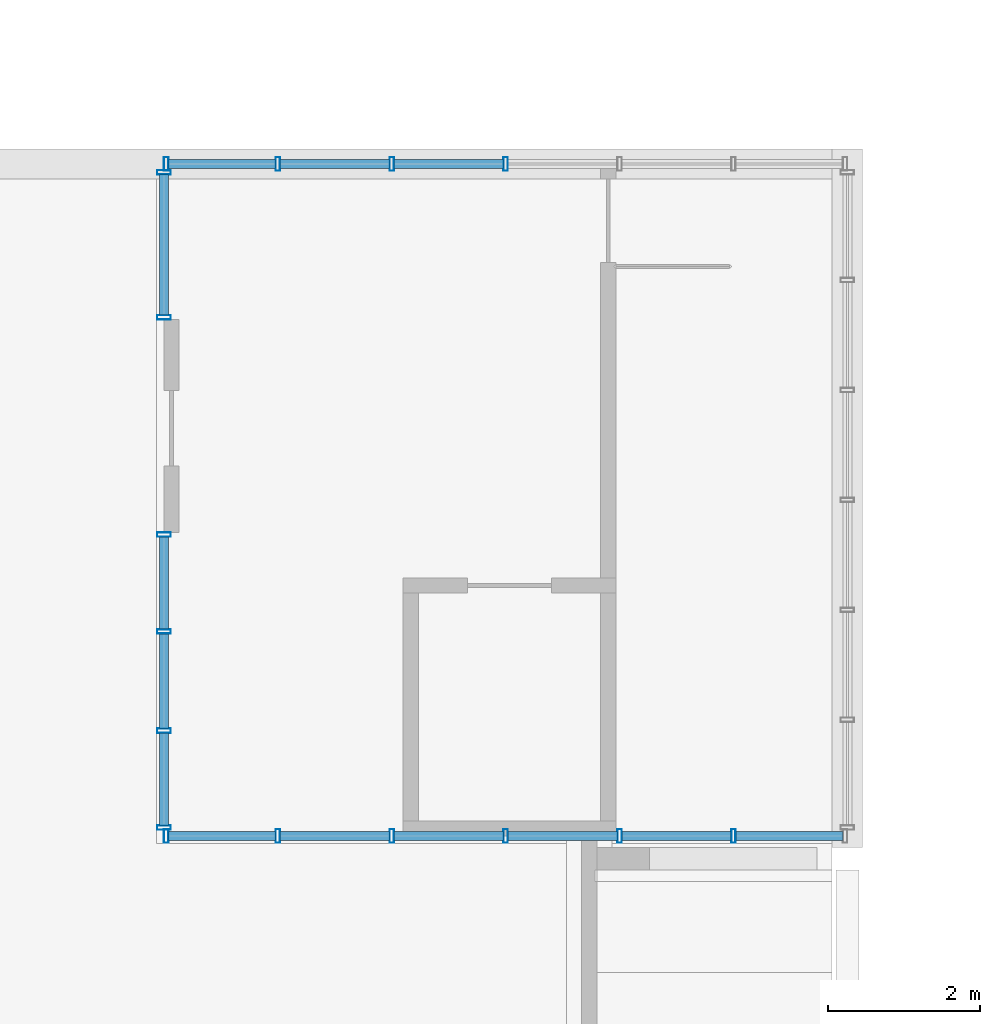
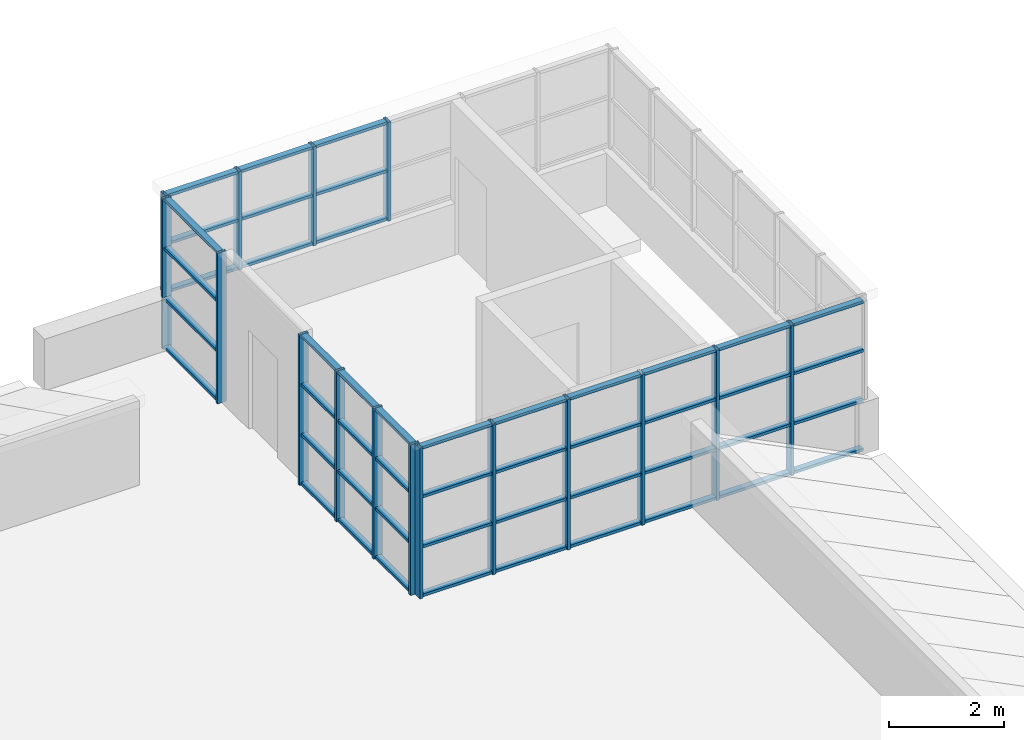
# One storey, part 4 of 69: 65 members, 4 elements without a shape of their own.
"""IFC4 building model written with IfcOpenShell, lengths in metres."""

from ifc_helpers import new_model, si_unit, direction, frame, origin, origin_2d, place, context, subcontext, project, spatial, hollow_rectangle, extrude, material, material_profile, profile_set, type_object, element, aggregate, save


model = new_model("IFC4")

# Units and contexts
model_context = context("Model", 3, precision=1e-05, world=origin(), true_north=direction((0.0, 1.0)))
body_context = subcontext(model_context, "Body", "Model", "MODEL_VIEW")
ifc_project = project(units=[si_unit("LENGTHUNIT", "METRE"), si_unit("AREAUNIT", "SQUARE_METRE"), si_unit("VOLUMEUNIT", "CUBIC_METRE"), si_unit("PLANEANGLEUNIT", "RADIAN"), si_unit("MASSUNIT", "GRAM", prefix="KILO")], contexts=[model_context])

# Site, building, storey
site_placement = place(None, origin())
site = spatial("IfcSite", under=ifc_project, at=site_placement, CompositionType="ELEMENT")
building_placement = place(site_placement, origin())
building = spatial("IfcBuilding", under=site, at=building_placement, Name="Kallimachos Central Library", CompositionType="ELEMENT")
storey_placement = place(building_placement, frame((0.0, 0.0, 23.39990234375)))
storey = spatial("IfcBuildingStorey", under=building, at=storey_placement, Name="L05", CompositionType="ELEMENT", Elevation=23.39990234375)

# Curtain wall, members
ifc_material_1 = material(Name="Aluminium and laminated glass", Category="aluminium")
curtain_wall_type = type_object("IfcCurtainWallType", Name="Glazed lantern wall", PredefinedType="NOTDEFINED", material=ifc_material_1)
curtain_wall_1_placement = place(storey_placement, origin())
curtain_wall_1 = element("IfcCurtainWall", 1, at=curtain_wall_1_placement, inside=storey, type_object=curtain_wall_type, Name="V5-CWL-L05-005", PredefinedType="NOTDEFINED")
ifc_material_2 = material(Name="Anodised aluminium", Category="aluminium")
ifc_material_profile_1 = material_profile(ifc_material_2, hollow_rectangle(XDim=0.06005859375, YDim=0.179931640625, WallThickness=0.00390625, at=origin_2d()), Name="ALU MULLION 60x180")
ifc_profile_set_1 = profile_set([ifc_material_profile_1], Name="Anodised aluminium")
member_type_1 = type_object("IfcMemberType", Name="ALU MULLION 60x180 mullion", PredefinedType="MULLION", material=ifc_profile_set_1)
member_1_placement = place(storey_placement, frame((92.530029296875, 44.85009765625, 1.10009765625), z_axis=(0.0, 0.0, 1.0), x_axis=(1.0, 0.0, 0.0)))
member_1 = element("IfcMember", 2, at=member_1_placement, type_object=member_type_1, Name="CW6 mullion 1", PredefinedType="MULLION", context=body_context, shape_type="SweptSolid", body=[
    extrude(hollow_rectangle(XDim=0.06005859375, YDim=0.179931640625, WallThickness=0.00390625, at=origin_2d()), origin(), (0.0, 0.0, 1.0), 2.10009765625),
])
member_2_placement = place(storey_placement, frame((94.0, 44.85009765625, 1.10009765625), z_axis=(0.0, 0.0, 1.0), x_axis=(1.0, 0.0, 0.0)))
member_2 = element("IfcMember", 3, at=member_2_placement, type_object=member_type_1, Name="CW6 mullion 2", PredefinedType="MULLION", context=body_context, shape_type="SweptSolid", body=[
    extrude(hollow_rectangle(XDim=0.06005859375, YDim=0.179931640625, WallThickness=0.00390625, at=origin_2d()), origin(), (0.0, 0.0, 1.0), 2.10009765625),
])
member_3_placement = place(storey_placement, frame((95.5, 44.85009765625, 1.10009765625), z_axis=(0.0, 0.0, 1.0), x_axis=(1.0, 0.0, 0.0)))
member_3 = element("IfcMember", 4, at=member_3_placement, type_object=member_type_1, Name="CW6 mullion 3", PredefinedType="MULLION", context=body_context, shape_type="SweptSolid", body=[
    extrude(hollow_rectangle(XDim=0.06005859375, YDim=0.179931640625, WallThickness=0.00390625, at=origin_2d()), origin(), (0.0, 0.0, 1.0), 2.10009765625),
])
member_4_placement = place(storey_placement, frame((97.0, 44.85009765625, 1.10009765625), z_axis=(0.0, 0.0, 1.0), x_axis=(1.0, 0.0, 0.0)))
member_4 = element("IfcMember", 5, at=member_4_placement, type_object=member_type_1, Name="CW6 mullion 4", PredefinedType="MULLION", context=body_context, shape_type="SweptSolid", body=[
    extrude(hollow_rectangle(XDim=0.06005859375, YDim=0.179931640625, WallThickness=0.00390625, at=origin_2d()), origin(), (0.0, 0.0, 1.0), 2.10009765625),
])

curtain_wall_2_placement = place(storey_placement, origin())
curtain_wall_2 = element("IfcCurtainWall", 6, at=curtain_wall_2_placement, inside=storey, type_object=curtain_wall_type, Name="V5-CWL-L05-007", PredefinedType="NOTDEFINED")
member_5_placement = place(storey_placement, frame((92.530029296875, 36.0, 0.0), z_axis=(0.0, 0.0, 1.0), x_axis=(1.0, 0.0, 0.0)))
member_5 = element("IfcMember", 7, at=member_5_placement, type_object=member_type_1, Name="CW8 mullion 1", PredefinedType="MULLION", context=body_context, shape_type="SweptSolid", body=[
    extrude(hollow_rectangle(XDim=0.06005859375, YDim=0.179931640625, WallThickness=0.00390625, at=origin_2d()), origin(), (0.0, 0.0, 1.0), 3.2001953125),
])
member_6_placement = place(storey_placement, frame((94.0, 36.0, 0.0), z_axis=(0.0, 0.0, 1.0), x_axis=(1.0, 0.0, 0.0)))
member_6 = element("IfcMember", 8, at=member_6_placement, type_object=member_type_1, Name="CW8 mullion 2", PredefinedType="MULLION", context=body_context, shape_type="SweptSolid", body=[
    extrude(hollow_rectangle(XDim=0.06005859375, YDim=0.179931640625, WallThickness=0.00390625, at=origin_2d()), origin(), (0.0, 0.0, 1.0), 3.2001953125),
])
member_7_placement = place(storey_placement, frame((95.5, 36.0, 0.0), z_axis=(0.0, 0.0, 1.0), x_axis=(1.0, 0.0, 0.0)))
member_7 = element("IfcMember", 9, at=member_7_placement, type_object=member_type_1, Name="CW8 mullion 3", PredefinedType="MULLION", context=body_context, shape_type="SweptSolid", body=[
    extrude(hollow_rectangle(XDim=0.06005859375, YDim=0.179931640625, WallThickness=0.00390625, at=origin_2d()), origin(), (0.0, 0.0, 1.0), 3.2001953125),
])
member_8_placement = place(storey_placement, frame((97.0, 36.0, 0.0), z_axis=(0.0, 0.0, 1.0), x_axis=(1.0, 0.0, 0.0)))
member_8 = element("IfcMember", 10, at=member_8_placement, type_object=member_type_1, Name="CW8 mullion 4", PredefinedType="MULLION", context=body_context, shape_type="SweptSolid", body=[
    extrude(hollow_rectangle(XDim=0.06005859375, YDim=0.179931640625, WallThickness=0.00390625, at=origin_2d()), origin(), (0.0, 0.0, 1.0), 3.2001953125),
])
member_9_placement = place(storey_placement, frame((98.5, 36.0, 0.0), z_axis=(0.0, 0.0, 1.0), x_axis=(1.0, 0.0, 0.0)))
member_9 = element("IfcMember", 11, at=member_9_placement, type_object=member_type_1, Name="CW8 mullion 5", PredefinedType="MULLION", context=body_context, shape_type="SweptSolid", body=[
    extrude(hollow_rectangle(XDim=0.06005859375, YDim=0.179931640625, WallThickness=0.00390625, at=origin_2d()), origin(), (0.0, 0.0, 1.0), 3.2001953125),
])
member_10_placement = place(storey_placement, frame((100.0, 36.0, 0.0), z_axis=(0.0, 0.0, 1.0), x_axis=(1.0, 0.0, 0.0)))
member_10 = element("IfcMember", 12, at=member_10_placement, type_object=member_type_1, Name="CW8 mullion 6", PredefinedType="MULLION", context=body_context, shape_type="SweptSolid", body=[
    extrude(hollow_rectangle(XDim=0.06005859375, YDim=0.179931640625, WallThickness=0.00390625, at=origin_2d()), origin(), (0.0, 0.0, 1.0), 3.2001953125),
])

curtain_wall_3_placement = place(storey_placement, origin())
curtain_wall_3 = element("IfcCurtainWall", 13, at=curtain_wall_3_placement, inside=storey, type_object=curtain_wall_type, Name="V5-CWL-L05-008", PredefinedType="NOTDEFINED")
member_11_placement = place(storey_placement, frame((92.5, 36.110107421875, 0.0), z_axis=(0.0, 0.0, 1.0), x_axis=(0.0, 1.0, 0.0)))
member_11 = element("IfcMember", 14, at=member_11_placement, type_object=member_type_1, Name="CW9 mullion 1", PredefinedType="MULLION", context=body_context, shape_type="SweptSolid", body=[
    extrude(hollow_rectangle(XDim=0.06005859375, YDim=0.179931640625, WallThickness=0.00390625, at=origin_2d()), origin(), (0.0, 0.0, 1.0), 3.2001953125),
])
member_12_placement = place(storey_placement, frame((92.5, 37.38671875, 0.0), z_axis=(0.0, 0.0, 1.0), x_axis=(0.0, 1.0, 0.0)))
member_12 = element("IfcMember", 15, at=member_12_placement, type_object=member_type_1, Name="CW9 mullion 2", PredefinedType="MULLION", context=body_context, shape_type="SweptSolid", body=[
    extrude(hollow_rectangle(XDim=0.06005859375, YDim=0.179931640625, WallThickness=0.00390625, at=origin_2d()), origin(), (0.0, 0.0, 1.0), 3.2001953125),
])
member_13_placement = place(storey_placement, frame((92.5, 38.693359375, 0.0), z_axis=(0.0, 0.0, 1.0), x_axis=(0.0, 1.0, 0.0)))
member_13 = element("IfcMember", 16, at=member_13_placement, type_object=member_type_1, Name="CW9 mullion 3", PredefinedType="MULLION", context=body_context, shape_type="SweptSolid", body=[
    extrude(hollow_rectangle(XDim=0.06005859375, YDim=0.179931640625, WallThickness=0.00390625, at=origin_2d()), origin(), (0.0, 0.0, 1.0), 3.2001953125),
])
member_14_placement = place(storey_placement, frame((92.5, 39.969970703125, 0.0), z_axis=(0.0, 0.0, 1.0), x_axis=(0.0, 1.0, 0.0)))
member_14 = element("IfcMember", 17, at=member_14_placement, type_object=member_type_1, Name="CW9 mullion 4", PredefinedType="MULLION", context=body_context, shape_type="SweptSolid", body=[
    extrude(hollow_rectangle(XDim=0.06005859375, YDim=0.179931640625, WallThickness=0.00390625, at=origin_2d()), origin(), (0.0, 0.0, 1.0), 3.2001953125),
])

curtain_wall_4_placement = place(storey_placement, origin())
curtain_wall_4 = element("IfcCurtainWall", 18, at=curtain_wall_4_placement, inside=storey, type_object=curtain_wall_type, Name="V5-CWL-L05-009", PredefinedType="NOTDEFINED")
member_15_placement = place(storey_placement, frame((92.5, 42.830078125, 0.0), z_axis=(0.0, 0.0, 1.0), x_axis=(0.0, 1.0, 0.0)))
member_15 = element("IfcMember", 19, at=member_15_placement, type_object=member_type_1, Name="CW10 mullion 1", PredefinedType="MULLION", context=body_context, shape_type="SweptSolid", body=[
    extrude(hollow_rectangle(XDim=0.06005859375, YDim=0.179931640625, WallThickness=0.00390625, at=origin_2d()), origin(), (0.0, 0.0, 1.0), 3.2001953125),
])
member_16_placement = place(storey_placement, frame((92.5, 44.739990234375, 0.0), z_axis=(0.0, 0.0, 1.0), x_axis=(0.0, 1.0, 0.0)))
member_16 = element("IfcMember", 20, at=member_16_placement, type_object=member_type_1, Name="CW10 mullion 2", PredefinedType="MULLION", context=body_context, shape_type="SweptSolid", body=[
    extrude(hollow_rectangle(XDim=0.06005859375, YDim=0.179931640625, WallThickness=0.00390625, at=origin_2d()), origin(), (0.0, 0.0, 1.0), 3.2001953125),
])

# Member
ifc_material_3 = material(Name="Anodised aluminium", Category="aluminium")
ifc_material_profile_2 = material_profile(ifc_material_3, hollow_rectangle(XDim=0.06005859375, YDim=0.1201171875, WallThickness=0.00390625, at=origin_2d()), Name="ALU TRANSOM 60x120")
ifc_profile_set_2 = profile_set([ifc_material_profile_2], Name="Anodised aluminium")
member_type_2 = type_object("IfcMemberType", Name="ALU TRANSOM 60x120 transom", PredefinedType="USERDEFINED", material=ifc_profile_set_2)
member_17_placement = place(storey_placement, frame((92.56005859375, 44.85009765625, 1.130126953125), z_axis=(1.0, 0.0, 0.0), x_axis=(0.0, 0.0, 1.0)))
member_17 = element("IfcMember", 21, at=member_17_placement, type_object=member_type_2, Name="CW6 transom 1.1", ObjectType="TRANSOM", PredefinedType="USERDEFINED", context=body_context, shape_type="SweptSolid", body=[
    extrude(hollow_rectangle(XDim=0.06005859375, YDim=0.1201171875, WallThickness=0.00390625, at=origin_2d()), origin(), (0.0, 0.0, 1.0), 1.409912109375),
])

member_18_placement = place(storey_placement, frame((92.56005859375, 44.85009765625, 2.150146484375), z_axis=(1.0, 0.0, 0.0), x_axis=(0.0, 0.0, 1.0)))
member_18 = element("IfcMember", 22, at=member_18_placement, type_object=member_type_2, Name="CW6 transom 1.2", ObjectType="TRANSOM", PredefinedType="USERDEFINED", context=body_context, shape_type="SweptSolid", body=[
    extrude(hollow_rectangle(XDim=0.06005859375, YDim=0.1201171875, WallThickness=0.00390625, at=origin_2d()), origin(), (0.0, 0.0, 1.0), 1.409912109375),
])

member_19_placement = place(storey_placement, frame((92.56005859375, 44.85009765625, 3.170166015625), z_axis=(1.0, 0.0, 0.0), x_axis=(0.0, 0.0, 1.0)))
member_19 = element("IfcMember", 23, at=member_19_placement, type_object=member_type_2, Name="CW6 transom 1.3", ObjectType="TRANSOM", PredefinedType="USERDEFINED", context=body_context, shape_type="SweptSolid", body=[
    extrude(hollow_rectangle(XDim=0.06005859375, YDim=0.1201171875, WallThickness=0.00390625, at=origin_2d()), origin(), (0.0, 0.0, 1.0), 1.409912109375),
])

member_20_placement = place(storey_placement, frame((94.030029296875, 44.85009765625, 1.130126953125), z_axis=(1.0, 0.0, 0.0), x_axis=(0.0, 0.0, 1.0)))
member_20 = element("IfcMember", 24, at=member_20_placement, type_object=member_type_2, Name="CW6 transom 2.1", ObjectType="TRANSOM", PredefinedType="USERDEFINED", context=body_context, shape_type="SweptSolid", body=[
    extrude(hollow_rectangle(XDim=0.06005859375, YDim=0.1201171875, WallThickness=0.00390625, at=origin_2d()), origin(), (0.0, 0.0, 1.0), 1.43994140625),
])

member_21_placement = place(storey_placement, frame((94.030029296875, 44.85009765625, 2.150146484375), z_axis=(1.0, 0.0, 0.0), x_axis=(0.0, 0.0, 1.0)))
member_21 = element("IfcMember", 25, at=member_21_placement, type_object=member_type_2, Name="CW6 transom 2.2", ObjectType="TRANSOM", PredefinedType="USERDEFINED", context=body_context, shape_type="SweptSolid", body=[
    extrude(hollow_rectangle(XDim=0.06005859375, YDim=0.1201171875, WallThickness=0.00390625, at=origin_2d()), origin(), (0.0, 0.0, 1.0), 1.43994140625),
])

member_22_placement = place(storey_placement, frame((94.030029296875, 44.85009765625, 3.170166015625), z_axis=(1.0, 0.0, 0.0), x_axis=(0.0, 0.0, 1.0)))
member_22 = element("IfcMember", 26, at=member_22_placement, type_object=member_type_2, Name="CW6 transom 2.3", ObjectType="TRANSOM", PredefinedType="USERDEFINED", context=body_context, shape_type="SweptSolid", body=[
    extrude(hollow_rectangle(XDim=0.06005859375, YDim=0.1201171875, WallThickness=0.00390625, at=origin_2d()), origin(), (0.0, 0.0, 1.0), 1.43994140625),
])

member_23_placement = place(storey_placement, frame((95.530029296875, 44.85009765625, 1.130126953125), z_axis=(1.0, 0.0, 0.0), x_axis=(0.0, 0.0, 1.0)))
member_23 = element("IfcMember", 27, at=member_23_placement, type_object=member_type_2, Name="CW6 transom 3.1", ObjectType="TRANSOM", PredefinedType="USERDEFINED", context=body_context, shape_type="SweptSolid", body=[
    extrude(hollow_rectangle(XDim=0.06005859375, YDim=0.1201171875, WallThickness=0.00390625, at=origin_2d()), origin(), (0.0, 0.0, 1.0), 1.43994140625),
])

member_24_placement = place(storey_placement, frame((95.530029296875, 44.85009765625, 2.150146484375), z_axis=(1.0, 0.0, 0.0), x_axis=(0.0, 0.0, 1.0)))
member_24 = element("IfcMember", 28, at=member_24_placement, type_object=member_type_2, Name="CW6 transom 3.2", ObjectType="TRANSOM", PredefinedType="USERDEFINED", context=body_context, shape_type="SweptSolid", body=[
    extrude(hollow_rectangle(XDim=0.06005859375, YDim=0.1201171875, WallThickness=0.00390625, at=origin_2d()), origin(), (0.0, 0.0, 1.0), 1.43994140625),
])

member_25_placement = place(storey_placement, frame((95.530029296875, 44.85009765625, 3.170166015625), z_axis=(1.0, 0.0, 0.0), x_axis=(0.0, 0.0, 1.0)))
member_25 = element("IfcMember", 29, at=member_25_placement, type_object=member_type_2, Name="CW6 transom 3.3", ObjectType="TRANSOM", PredefinedType="USERDEFINED", context=body_context, shape_type="SweptSolid", body=[
    extrude(hollow_rectangle(XDim=0.06005859375, YDim=0.1201171875, WallThickness=0.00390625, at=origin_2d()), origin(), (0.0, 0.0, 1.0), 1.43994140625),
])

aggregate(curtain_wall_1, [member_1, member_2, member_3, member_4, member_17, member_18, member_19, member_20, member_21, member_22, member_23, member_24, member_25])

member_26_placement = place(storey_placement, frame((92.56005859375, 36.0, 0.030029296875), z_axis=(1.0, 0.0, 0.0), x_axis=(0.0, 0.0, 1.0)))
member_26 = element("IfcMember", 30, at=member_26_placement, type_object=member_type_2, Name="CW8 transom 1.1", ObjectType="TRANSOM", PredefinedType="USERDEFINED", context=body_context, shape_type="SweptSolid", body=[
    extrude(hollow_rectangle(XDim=0.06005859375, YDim=0.1201171875, WallThickness=0.00390625, at=origin_2d()), origin(), (0.0, 0.0, 1.0), 1.409912109375),
])

member_27_placement = place(storey_placement, frame((92.56005859375, 36.0, 1.06689453125), z_axis=(1.0, 0.0, 0.0), x_axis=(0.0, 0.0, 1.0)))
member_27 = element("IfcMember", 31, at=member_27_placement, type_object=member_type_2, Name="CW8 transom 1.2", ObjectType="TRANSOM", PredefinedType="USERDEFINED", context=body_context, shape_type="SweptSolid", body=[
    extrude(hollow_rectangle(XDim=0.06005859375, YDim=0.1201171875, WallThickness=0.00390625, at=origin_2d()), origin(), (0.0, 0.0, 1.0), 1.409912109375),
])

member_28_placement = place(storey_placement, frame((92.56005859375, 36.0, 2.13330078125), z_axis=(1.0, 0.0, 0.0), x_axis=(0.0, 0.0, 1.0)))
member_28 = element("IfcMember", 32, at=member_28_placement, type_object=member_type_2, Name="CW8 transom 1.3", ObjectType="TRANSOM", PredefinedType="USERDEFINED", context=body_context, shape_type="SweptSolid", body=[
    extrude(hollow_rectangle(XDim=0.06005859375, YDim=0.1201171875, WallThickness=0.00390625, at=origin_2d()), origin(), (0.0, 0.0, 1.0), 1.409912109375),
])

member_29_placement = place(storey_placement, frame((92.56005859375, 36.0, 3.170166015625), z_axis=(1.0, 0.0, 0.0), x_axis=(0.0, 0.0, 1.0)))
member_29 = element("IfcMember", 33, at=member_29_placement, type_object=member_type_2, Name="CW8 transom 1.4", ObjectType="TRANSOM", PredefinedType="USERDEFINED", context=body_context, shape_type="SweptSolid", body=[
    extrude(hollow_rectangle(XDim=0.06005859375, YDim=0.1201171875, WallThickness=0.00390625, at=origin_2d()), origin(), (0.0, 0.0, 1.0), 1.409912109375),
])

member_30_placement = place(storey_placement, frame((94.030029296875, 36.0, 0.030029296875), z_axis=(1.0, 0.0, 0.0), x_axis=(0.0, 0.0, 1.0)))
member_30 = element("IfcMember", 34, at=member_30_placement, type_object=member_type_2, Name="CW8 transom 2.1", ObjectType="TRANSOM", PredefinedType="USERDEFINED", context=body_context, shape_type="SweptSolid", body=[
    extrude(hollow_rectangle(XDim=0.06005859375, YDim=0.1201171875, WallThickness=0.00390625, at=origin_2d()), origin(), (0.0, 0.0, 1.0), 1.43994140625),
])

member_31_placement = place(storey_placement, frame((94.030029296875, 36.0, 1.06689453125), z_axis=(1.0, 0.0, 0.0), x_axis=(0.0, 0.0, 1.0)))
member_31 = element("IfcMember", 35, at=member_31_placement, type_object=member_type_2, Name="CW8 transom 2.2", ObjectType="TRANSOM", PredefinedType="USERDEFINED", context=body_context, shape_type="SweptSolid", body=[
    extrude(hollow_rectangle(XDim=0.06005859375, YDim=0.1201171875, WallThickness=0.00390625, at=origin_2d()), origin(), (0.0, 0.0, 1.0), 1.43994140625),
])

member_32_placement = place(storey_placement, frame((94.030029296875, 36.0, 2.13330078125), z_axis=(1.0, 0.0, 0.0), x_axis=(0.0, 0.0, 1.0)))
member_32 = element("IfcMember", 36, at=member_32_placement, type_object=member_type_2, Name="CW8 transom 2.3", ObjectType="TRANSOM", PredefinedType="USERDEFINED", context=body_context, shape_type="SweptSolid", body=[
    extrude(hollow_rectangle(XDim=0.06005859375, YDim=0.1201171875, WallThickness=0.00390625, at=origin_2d()), origin(), (0.0, 0.0, 1.0), 1.43994140625),
])

member_33_placement = place(storey_placement, frame((94.030029296875, 36.0, 3.170166015625), z_axis=(1.0, 0.0, 0.0), x_axis=(0.0, 0.0, 1.0)))
member_33 = element("IfcMember", 37, at=member_33_placement, type_object=member_type_2, Name="CW8 transom 2.4", ObjectType="TRANSOM", PredefinedType="USERDEFINED", context=body_context, shape_type="SweptSolid", body=[
    extrude(hollow_rectangle(XDim=0.06005859375, YDim=0.1201171875, WallThickness=0.00390625, at=origin_2d()), origin(), (0.0, 0.0, 1.0), 1.43994140625),
])

member_34_placement = place(storey_placement, frame((95.530029296875, 36.0, 0.030029296875), z_axis=(1.0, 0.0, 0.0), x_axis=(0.0, 0.0, 1.0)))
member_34 = element("IfcMember", 38, at=member_34_placement, type_object=member_type_2, Name="CW8 transom 3.1", ObjectType="TRANSOM", PredefinedType="USERDEFINED", context=body_context, shape_type="SweptSolid", body=[
    extrude(hollow_rectangle(XDim=0.06005859375, YDim=0.1201171875, WallThickness=0.00390625, at=origin_2d()), origin(), (0.0, 0.0, 1.0), 1.43994140625),
])

member_35_placement = place(storey_placement, frame((95.530029296875, 36.0, 1.06689453125), z_axis=(1.0, 0.0, 0.0), x_axis=(0.0, 0.0, 1.0)))
member_35 = element("IfcMember", 39, at=member_35_placement, type_object=member_type_2, Name="CW8 transom 3.2", ObjectType="TRANSOM", PredefinedType="USERDEFINED", context=body_context, shape_type="SweptSolid", body=[
    extrude(hollow_rectangle(XDim=0.06005859375, YDim=0.1201171875, WallThickness=0.00390625, at=origin_2d()), origin(), (0.0, 0.0, 1.0), 1.43994140625),
])

member_36_placement = place(storey_placement, frame((95.530029296875, 36.0, 2.13330078125), z_axis=(1.0, 0.0, 0.0), x_axis=(0.0, 0.0, 1.0)))
member_36 = element("IfcMember", 40, at=member_36_placement, type_object=member_type_2, Name="CW8 transom 3.3", ObjectType="TRANSOM", PredefinedType="USERDEFINED", context=body_context, shape_type="SweptSolid", body=[
    extrude(hollow_rectangle(XDim=0.06005859375, YDim=0.1201171875, WallThickness=0.00390625, at=origin_2d()), origin(), (0.0, 0.0, 1.0), 1.43994140625),
])

member_37_placement = place(storey_placement, frame((95.530029296875, 36.0, 3.170166015625), z_axis=(1.0, 0.0, 0.0), x_axis=(0.0, 0.0, 1.0)))
member_37 = element("IfcMember", 41, at=member_37_placement, type_object=member_type_2, Name="CW8 transom 3.4", ObjectType="TRANSOM", PredefinedType="USERDEFINED", context=body_context, shape_type="SweptSolid", body=[
    extrude(hollow_rectangle(XDim=0.06005859375, YDim=0.1201171875, WallThickness=0.00390625, at=origin_2d()), origin(), (0.0, 0.0, 1.0), 1.43994140625),
])

member_38_placement = place(storey_placement, frame((97.030029296875, 36.0, 0.030029296875), z_axis=(1.0, 0.0, 0.0), x_axis=(0.0, 0.0, 1.0)))
member_38 = element("IfcMember", 42, at=member_38_placement, type_object=member_type_2, Name="CW8 transom 4.1", ObjectType="TRANSOM", PredefinedType="USERDEFINED", context=body_context, shape_type="SweptSolid", body=[
    extrude(hollow_rectangle(XDim=0.06005859375, YDim=0.1201171875, WallThickness=0.00390625, at=origin_2d()), origin(), (0.0, 0.0, 1.0), 1.43994140625),
])

member_39_placement = place(storey_placement, frame((97.030029296875, 36.0, 1.06689453125), z_axis=(1.0, 0.0, 0.0), x_axis=(0.0, 0.0, 1.0)))
member_39 = element("IfcMember", 43, at=member_39_placement, type_object=member_type_2, Name="CW8 transom 4.2", ObjectType="TRANSOM", PredefinedType="USERDEFINED", context=body_context, shape_type="SweptSolid", body=[
    extrude(hollow_rectangle(XDim=0.06005859375, YDim=0.1201171875, WallThickness=0.00390625, at=origin_2d()), origin(), (0.0, 0.0, 1.0), 1.43994140625),
])

member_40_placement = place(storey_placement, frame((97.030029296875, 36.0, 2.13330078125), z_axis=(1.0, 0.0, 0.0), x_axis=(0.0, 0.0, 1.0)))
member_40 = element("IfcMember", 44, at=member_40_placement, type_object=member_type_2, Name="CW8 transom 4.3", ObjectType="TRANSOM", PredefinedType="USERDEFINED", context=body_context, shape_type="SweptSolid", body=[
    extrude(hollow_rectangle(XDim=0.06005859375, YDim=0.1201171875, WallThickness=0.00390625, at=origin_2d()), origin(), (0.0, 0.0, 1.0), 1.43994140625),
])

member_41_placement = place(storey_placement, frame((97.030029296875, 36.0, 3.170166015625), z_axis=(1.0, 0.0, 0.0), x_axis=(0.0, 0.0, 1.0)))
member_41 = element("IfcMember", 45, at=member_41_placement, type_object=member_type_2, Name="CW8 transom 4.4", ObjectType="TRANSOM", PredefinedType="USERDEFINED", context=body_context, shape_type="SweptSolid", body=[
    extrude(hollow_rectangle(XDim=0.06005859375, YDim=0.1201171875, WallThickness=0.00390625, at=origin_2d()), origin(), (0.0, 0.0, 1.0), 1.43994140625),
])

member_42_placement = place(storey_placement, frame((98.530029296875, 36.0, 0.030029296875), z_axis=(1.0, 0.0, 0.0), x_axis=(0.0, 0.0, 1.0)))
member_42 = element("IfcMember", 46, at=member_42_placement, type_object=member_type_2, Name="CW8 transom 5.1", ObjectType="TRANSOM", PredefinedType="USERDEFINED", context=body_context, shape_type="SweptSolid", body=[
    extrude(hollow_rectangle(XDim=0.06005859375, YDim=0.1201171875, WallThickness=0.00390625, at=origin_2d()), origin(), (0.0, 0.0, 1.0), 1.43994140625),
])

member_43_placement = place(storey_placement, frame((98.530029296875, 36.0, 1.06689453125), z_axis=(1.0, 0.0, 0.0), x_axis=(0.0, 0.0, 1.0)))
member_43 = element("IfcMember", 47, at=member_43_placement, type_object=member_type_2, Name="CW8 transom 5.2", ObjectType="TRANSOM", PredefinedType="USERDEFINED", context=body_context, shape_type="SweptSolid", body=[
    extrude(hollow_rectangle(XDim=0.06005859375, YDim=0.1201171875, WallThickness=0.00390625, at=origin_2d()), origin(), (0.0, 0.0, 1.0), 1.43994140625),
])

member_44_placement = place(storey_placement, frame((98.530029296875, 36.0, 2.13330078125), z_axis=(1.0, 0.0, 0.0), x_axis=(0.0, 0.0, 1.0)))
member_44 = element("IfcMember", 48, at=member_44_placement, type_object=member_type_2, Name="CW8 transom 5.3", ObjectType="TRANSOM", PredefinedType="USERDEFINED", context=body_context, shape_type="SweptSolid", body=[
    extrude(hollow_rectangle(XDim=0.06005859375, YDim=0.1201171875, WallThickness=0.00390625, at=origin_2d()), origin(), (0.0, 0.0, 1.0), 1.43994140625),
])

member_45_placement = place(storey_placement, frame((98.530029296875, 36.0, 3.170166015625), z_axis=(1.0, 0.0, 0.0), x_axis=(0.0, 0.0, 1.0)))
member_45 = element("IfcMember", 49, at=member_45_placement, type_object=member_type_2, Name="CW8 transom 5.4", ObjectType="TRANSOM", PredefinedType="USERDEFINED", context=body_context, shape_type="SweptSolid", body=[
    extrude(hollow_rectangle(XDim=0.06005859375, YDim=0.1201171875, WallThickness=0.00390625, at=origin_2d()), origin(), (0.0, 0.0, 1.0), 1.43994140625),
])

member_46_placement = place(storey_placement, frame((100.030029296875, 36.0, 0.030029296875), z_axis=(1.0, 0.0, 0.0), x_axis=(0.0, 0.0, 1.0)))
member_46 = element("IfcMember", 50, at=member_46_placement, type_object=member_type_2, Name="CW8 transom 6.1", ObjectType="TRANSOM", PredefinedType="USERDEFINED", context=body_context, shape_type="SweptSolid", body=[
    extrude(hollow_rectangle(XDim=0.06005859375, YDim=0.1201171875, WallThickness=0.00390625, at=origin_2d()), origin(), (0.0, 0.0, 1.0), 1.409912109375),
])

member_47_placement = place(storey_placement, frame((100.030029296875, 36.0, 1.06689453125), z_axis=(1.0, 0.0, 0.0), x_axis=(0.0, 0.0, 1.0)))
member_47 = element("IfcMember", 51, at=member_47_placement, type_object=member_type_2, Name="CW8 transom 6.2", ObjectType="TRANSOM", PredefinedType="USERDEFINED", context=body_context, shape_type="SweptSolid", body=[
    extrude(hollow_rectangle(XDim=0.06005859375, YDim=0.1201171875, WallThickness=0.00390625, at=origin_2d()), origin(), (0.0, 0.0, 1.0), 1.409912109375),
])

member_48_placement = place(storey_placement, frame((100.030029296875, 36.0, 2.13330078125), z_axis=(1.0, 0.0, 0.0), x_axis=(0.0, 0.0, 1.0)))
member_48 = element("IfcMember", 52, at=member_48_placement, type_object=member_type_2, Name="CW8 transom 6.3", ObjectType="TRANSOM", PredefinedType="USERDEFINED", context=body_context, shape_type="SweptSolid", body=[
    extrude(hollow_rectangle(XDim=0.06005859375, YDim=0.1201171875, WallThickness=0.00390625, at=origin_2d()), origin(), (0.0, 0.0, 1.0), 1.409912109375),
])

member_49_placement = place(storey_placement, frame((100.030029296875, 36.0, 3.170166015625), z_axis=(1.0, 0.0, 0.0), x_axis=(0.0, 0.0, 1.0)))
member_49 = element("IfcMember", 53, at=member_49_placement, type_object=member_type_2, Name="CW8 transom 6.4", ObjectType="TRANSOM", PredefinedType="USERDEFINED", context=body_context, shape_type="SweptSolid", body=[
    extrude(hollow_rectangle(XDim=0.06005859375, YDim=0.1201171875, WallThickness=0.00390625, at=origin_2d()), origin(), (0.0, 0.0, 1.0), 1.409912109375),
])

aggregate(curtain_wall_2, [member_5, member_6, member_7, member_8, member_9, member_10, member_26, member_27, member_28, member_29, member_30, member_31, member_32, member_33, member_34, member_35, member_36, member_37, member_38, member_39, member_40, member_41, member_42, member_43, member_44, member_45, member_46, member_47, member_48, member_49])

member_50_placement = place(storey_placement, frame((92.5, 36.139892578125, 0.030029296875), z_axis=(0.0, 1.0, 0.0), x_axis=(0.0, 0.0, 1.0)))
member_50 = element("IfcMember", 54, at=member_50_placement, type_object=member_type_2, Name="CW9 transom 1.1", ObjectType="TRANSOM", PredefinedType="USERDEFINED", context=body_context, shape_type="SweptSolid", body=[
    extrude(hollow_rectangle(XDim=0.06005859375, YDim=0.1201171875, WallThickness=0.00390625, at=origin_2d()), origin(), (0.0, 0.0, 1.0), 1.216796875),
])

member_51_placement = place(storey_placement, frame((92.5, 36.139892578125, 1.06689453125), z_axis=(0.0, 1.0, 0.0), x_axis=(0.0, 0.0, 1.0)))
member_51 = element("IfcMember", 55, at=member_51_placement, type_object=member_type_2, Name="CW9 transom 1.2", ObjectType="TRANSOM", PredefinedType="USERDEFINED", context=body_context, shape_type="SweptSolid", body=[
    extrude(hollow_rectangle(XDim=0.06005859375, YDim=0.1201171875, WallThickness=0.00390625, at=origin_2d()), origin(), (0.0, 0.0, 1.0), 1.216796875),
])

member_52_placement = place(storey_placement, frame((92.5, 36.139892578125, 2.13330078125), z_axis=(0.0, 1.0, 0.0), x_axis=(0.0, 0.0, 1.0)))
member_52 = element("IfcMember", 56, at=member_52_placement, type_object=member_type_2, Name="CW9 transom 1.3", ObjectType="TRANSOM", PredefinedType="USERDEFINED", context=body_context, shape_type="SweptSolid", body=[
    extrude(hollow_rectangle(XDim=0.06005859375, YDim=0.1201171875, WallThickness=0.00390625, at=origin_2d()), origin(), (0.0, 0.0, 1.0), 1.216796875),
])

member_53_placement = place(storey_placement, frame((92.5, 36.139892578125, 3.170166015625), z_axis=(0.0, 1.0, 0.0), x_axis=(0.0, 0.0, 1.0)))
member_53 = element("IfcMember", 57, at=member_53_placement, type_object=member_type_2, Name="CW9 transom 1.4", ObjectType="TRANSOM", PredefinedType="USERDEFINED", context=body_context, shape_type="SweptSolid", body=[
    extrude(hollow_rectangle(XDim=0.06005859375, YDim=0.1201171875, WallThickness=0.00390625, at=origin_2d()), origin(), (0.0, 0.0, 1.0), 1.216796875),
])

member_54_placement = place(storey_placement, frame((92.5, 37.416748046875, 0.030029296875), z_axis=(0.0, 1.0, 0.0), x_axis=(0.0, 0.0, 1.0)))
member_54 = element("IfcMember", 58, at=member_54_placement, type_object=member_type_2, Name="CW9 transom 2.1", ObjectType="TRANSOM", PredefinedType="USERDEFINED", context=body_context, shape_type="SweptSolid", body=[
    extrude(hollow_rectangle(XDim=0.06005859375, YDim=0.1201171875, WallThickness=0.00390625, at=origin_2d()), origin(), (0.0, 0.0, 1.0), 1.24658203125),
])

member_55_placement = place(storey_placement, frame((92.5, 37.416748046875, 1.06689453125), z_axis=(0.0, 1.0, 0.0), x_axis=(0.0, 0.0, 1.0)))
member_55 = element("IfcMember", 59, at=member_55_placement, type_object=member_type_2, Name="CW9 transom 2.2", ObjectType="TRANSOM", PredefinedType="USERDEFINED", context=body_context, shape_type="SweptSolid", body=[
    extrude(hollow_rectangle(XDim=0.06005859375, YDim=0.1201171875, WallThickness=0.00390625, at=origin_2d()), origin(), (0.0, 0.0, 1.0), 1.24658203125),
])

member_56_placement = place(storey_placement, frame((92.5, 37.416748046875, 2.13330078125), z_axis=(0.0, 1.0, 0.0), x_axis=(0.0, 0.0, 1.0)))
member_56 = element("IfcMember", 60, at=member_56_placement, type_object=member_type_2, Name="CW9 transom 2.3", ObjectType="TRANSOM", PredefinedType="USERDEFINED", context=body_context, shape_type="SweptSolid", body=[
    extrude(hollow_rectangle(XDim=0.06005859375, YDim=0.1201171875, WallThickness=0.00390625, at=origin_2d()), origin(), (0.0, 0.0, 1.0), 1.24658203125),
])

member_57_placement = place(storey_placement, frame((92.5, 37.416748046875, 3.170166015625), z_axis=(0.0, 1.0, 0.0), x_axis=(0.0, 0.0, 1.0)))
member_57 = element("IfcMember", 61, at=member_57_placement, type_object=member_type_2, Name="CW9 transom 2.4", ObjectType="TRANSOM", PredefinedType="USERDEFINED", context=body_context, shape_type="SweptSolid", body=[
    extrude(hollow_rectangle(XDim=0.06005859375, YDim=0.1201171875, WallThickness=0.00390625, at=origin_2d()), origin(), (0.0, 0.0, 1.0), 1.24658203125),
])

member_58_placement = place(storey_placement, frame((92.5, 38.723388671875, 0.030029296875), z_axis=(0.0, 1.0, 0.0), x_axis=(0.0, 0.0, 1.0)))
member_58 = element("IfcMember", 62, at=member_58_placement, type_object=member_type_2, Name="CW9 transom 3.1", ObjectType="TRANSOM", PredefinedType="USERDEFINED", context=body_context, shape_type="SweptSolid", body=[
    extrude(hollow_rectangle(XDim=0.06005859375, YDim=0.1201171875, WallThickness=0.00390625, at=origin_2d()), origin(), (0.0, 0.0, 1.0), 1.216552734375),
])

member_59_placement = place(storey_placement, frame((92.5, 38.723388671875, 1.06689453125), z_axis=(0.0, 1.0, 0.0), x_axis=(0.0, 0.0, 1.0)))
member_59 = element("IfcMember", 63, at=member_59_placement, type_object=member_type_2, Name="CW9 transom 3.2", ObjectType="TRANSOM", PredefinedType="USERDEFINED", context=body_context, shape_type="SweptSolid", body=[
    extrude(hollow_rectangle(XDim=0.06005859375, YDim=0.1201171875, WallThickness=0.00390625, at=origin_2d()), origin(), (0.0, 0.0, 1.0), 1.216552734375),
])

member_60_placement = place(storey_placement, frame((92.5, 38.723388671875, 2.13330078125), z_axis=(0.0, 1.0, 0.0), x_axis=(0.0, 0.0, 1.0)))
member_60 = element("IfcMember", 64, at=member_60_placement, type_object=member_type_2, Name="CW9 transom 3.3", ObjectType="TRANSOM", PredefinedType="USERDEFINED", context=body_context, shape_type="SweptSolid", body=[
    extrude(hollow_rectangle(XDim=0.06005859375, YDim=0.1201171875, WallThickness=0.00390625, at=origin_2d()), origin(), (0.0, 0.0, 1.0), 1.216552734375),
])

member_61_placement = place(storey_placement, frame((92.5, 38.723388671875, 3.170166015625), z_axis=(0.0, 1.0, 0.0), x_axis=(0.0, 0.0, 1.0)))
member_61 = element("IfcMember", 65, at=member_61_placement, type_object=member_type_2, Name="CW9 transom 3.4", ObjectType="TRANSOM", PredefinedType="USERDEFINED", context=body_context, shape_type="SweptSolid", body=[
    extrude(hollow_rectangle(XDim=0.06005859375, YDim=0.1201171875, WallThickness=0.00390625, at=origin_2d()), origin(), (0.0, 0.0, 1.0), 1.216552734375),
])

aggregate(curtain_wall_3, [member_11, member_12, member_13, member_14, member_50, member_51, member_52, member_53, member_54, member_55, member_56, member_57, member_58, member_59, member_60, member_61])

member_62_placement = place(storey_placement, frame((92.5, 42.860107421875, 0.030029296875), z_axis=(0.0, 1.0, 0.0), x_axis=(0.0, 0.0, 1.0)))
member_62 = element("IfcMember", 66, at=member_62_placement, type_object=member_type_2, Name="CW10 transom 1.1", ObjectType="TRANSOM", PredefinedType="USERDEFINED", context=body_context, shape_type="SweptSolid", body=[
    extrude(hollow_rectangle(XDim=0.06005859375, YDim=0.1201171875, WallThickness=0.00390625, at=origin_2d()), origin(), (0.0, 0.0, 1.0), 1.849853515625),
])

member_63_placement = place(storey_placement, frame((92.5, 42.860107421875, 1.06689453125), z_axis=(0.0, 1.0, 0.0), x_axis=(0.0, 0.0, 1.0)))
member_63 = element("IfcMember", 67, at=member_63_placement, type_object=member_type_2, Name="CW10 transom 1.2", ObjectType="TRANSOM", PredefinedType="USERDEFINED", context=body_context, shape_type="SweptSolid", body=[
    extrude(hollow_rectangle(XDim=0.06005859375, YDim=0.1201171875, WallThickness=0.00390625, at=origin_2d()), origin(), (0.0, 0.0, 1.0), 1.849853515625),
])

member_64_placement = place(storey_placement, frame((92.5, 42.860107421875, 2.13330078125), z_axis=(0.0, 1.0, 0.0), x_axis=(0.0, 0.0, 1.0)))
member_64 = element("IfcMember", 68, at=member_64_placement, type_object=member_type_2, Name="CW10 transom 1.3", ObjectType="TRANSOM", PredefinedType="USERDEFINED", context=body_context, shape_type="SweptSolid", body=[
    extrude(hollow_rectangle(XDim=0.06005859375, YDim=0.1201171875, WallThickness=0.00390625, at=origin_2d()), origin(), (0.0, 0.0, 1.0), 1.849853515625),
])

member_65_placement = place(storey_placement, frame((92.5, 42.860107421875, 3.170166015625), z_axis=(0.0, 1.0, 0.0), x_axis=(0.0, 0.0, 1.0)))
member_65 = element("IfcMember", 69, at=member_65_placement, type_object=member_type_2, Name="CW10 transom 1.4", ObjectType="TRANSOM", PredefinedType="USERDEFINED", context=body_context, shape_type="SweptSolid", body=[
    extrude(hollow_rectangle(XDim=0.06005859375, YDim=0.1201171875, WallThickness=0.00390625, at=origin_2d()), origin(), (0.0, 0.0, 1.0), 1.849853515625),
])

aggregate(curtain_wall_4, [member_15, member_16, member_62, member_63, member_64, member_65])

save(model, "model.ifc")
